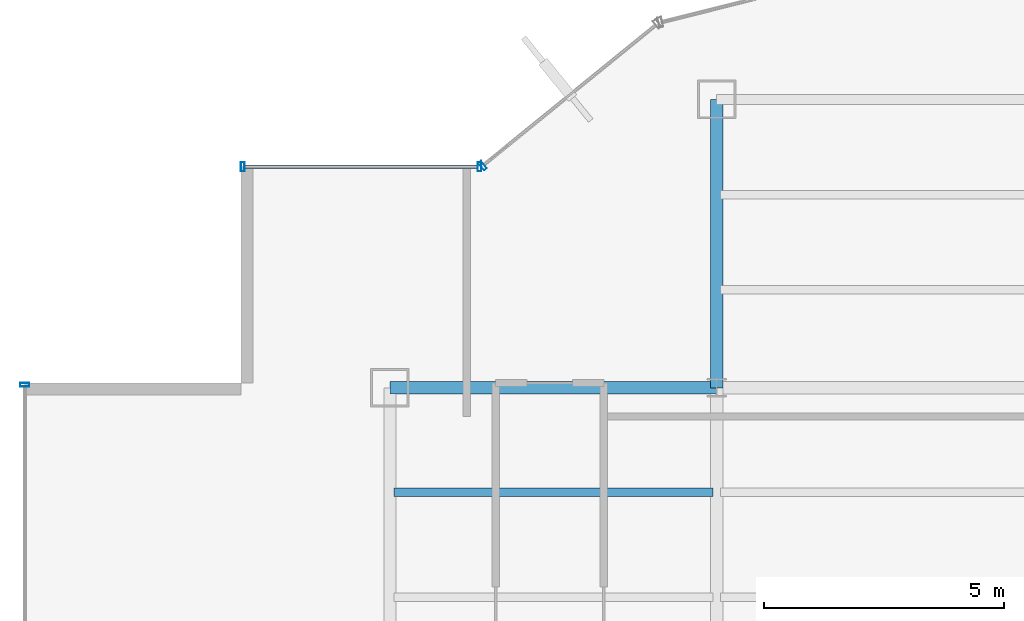
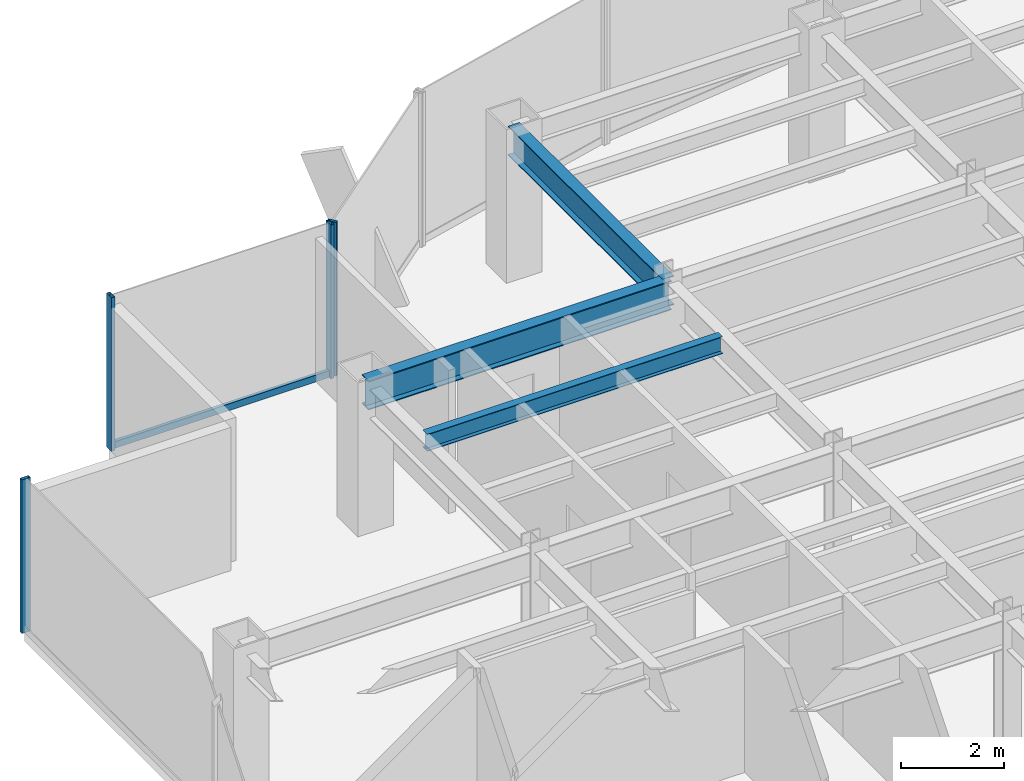
# One storey, part 13 of 26: 5 members, 3 beams, 3 elements without a shape of their own.
"""IFC4 building model written with IfcOpenShell, lengths in metres."""

from ifc_helpers import new_model, si_unit, derived_unit, direction, frame, origin, origin_2d, place, context, subcontext, project, spatial, hollow_rectangle, i_section, extrude, source, transform, mapped, material, material_profile, profile_set, type_object, element, aggregate, save


model = new_model("IFC4")

# Units and contexts
model_context = context("Model", 3, precision=1e-05, world=origin(), true_north=direction((0.0, 1.0)))
body_context = subcontext(model_context, "Body", "Model", "MODEL_VIEW")
ifc_project = project(units=[si_unit("LENGTHUNIT", "METRE"), si_unit("AREAUNIT", "SQUARE_METRE"), si_unit("VOLUMEUNIT", "CUBIC_METRE"), si_unit("PLANEANGLEUNIT", "RADIAN"), si_unit("MASSUNIT", "GRAM", prefix="KILO"), derived_unit("THERMALTRANSMITTANCEUNIT", [(si_unit("POWERUNIT", "WATT"), 1), (si_unit("LENGTHUNIT", "METRE"), -2), (si_unit("THERMODYNAMICTEMPERATUREUNIT", "KELVIN"), -1)])], contexts=[model_context])

# Site, building, storey
site_placement = place(None, origin())
site = spatial("IfcSite", under=ifc_project, at=site_placement, CompositionType="ELEMENT")
building_placement = place(site_placement, origin())
building = spatial("IfcBuilding", under=site, at=building_placement, Name="Skarnbrae Concourse Arena and Tower", CompositionType="ELEMENT")
storey_placement = place(building_placement, frame((0.0, 0.0, 106.89990234375)))
storey = spatial("IfcBuildingStorey", under=building, at=storey_placement, Name="L26", CompositionType="ELEMENT", Elevation=106.89990234375)

# Beams
ifc_material_1 = material(Name="Steel CSA G40.21 350W", Category="steel")
ifc_material_profile_1 = material_profile(ifc_material_1, i_section(OverallWidth=0.256103515625, OverallDepth=0.693115234375, WebThickness=0.014404296875, FlangeThickness=0.023681640625, at=origin_2d()), Name="W690X170")
ifc_profile_set_1 = profile_set([ifc_material_profile_1], Name="Steel CSA G40.21 350W")
beam_type_1 = type_object("IfcBeamType", Name="BM-GIRD-W690X170", PredefinedType="BEAM", material=ifc_profile_set_1)
shared_shape_1 = source(origin(), body_context, "Body", "SweptSolid", [
    extrude(i_section(OverallWidth=0.256103515625, OverallDepth=0.693115234375, WebThickness=0.014404296875, FlangeThickness=0.023681640625, at=origin_2d()), origin(), (0.0, 0.0, 1.0), 6.7998046875),
])
beam_1_placement = place(storey_placement, frame((7.60009765625, 34.39990234375, 3.0537109375), z_axis=(1.0, 0.0, 0.0), x_axis=(0.0, 1.0, 0.0)))
element("IfcBeam", 1, at=beam_1_placement, inside=storey, type_object=beam_type_1, Name="L26 Primary E-W girder Y34.4-1", PredefinedType="BEAM", context=body_context, shape_type="MappedRepresentation", body=[
    mapped(shared_shape_1, transform((0.0, 0.0, 0.0))),
])
shared_shape_2 = source(origin(), body_context, "Body", "SweptSolid", [
    extrude(i_section(OverallWidth=0.256103515625, OverallDepth=0.693115234375, WebThickness=0.014404296875, FlangeThickness=0.023681640625, at=origin_2d()), origin(), (0.0, 0.0, 1.0), 6.0),
])
beam_2_placement = place(storey_placement, frame((14.39990234375, 34.39990234375, 3.0537109375), z_axis=(0.0, 1.0, 0.0), x_axis=(-1.0, 0.0, 0.0)))
element("IfcBeam", 2, at=beam_2_placement, inside=storey, type_object=beam_type_1, Name="L26 Primary N-S girder X14.4-4", PredefinedType="BEAM", context=body_context, shape_type="MappedRepresentation", body=[
    mapped(shared_shape_2, transform((0.0, 0.0, 0.0))),
])
ifc_material_profile_2 = material_profile(ifc_material_1, i_section(OverallWidth=0.177978515625, OverallDepth=0.406982421875, WebThickness=0.0078125, FlangeThickness=0.0126953125, at=origin_2d()), Name="W410X60")
ifc_profile_set_2 = profile_set([ifc_material_profile_2], Name="Steel CSA G40.21 350W")
beam_type_2 = type_object("IfcBeamType", Name="BM-JOIST-W410X60", PredefinedType="JOIST", material=ifc_profile_set_2)
shared_shape_3 = source(origin(), body_context, "Body", "SweptSolid", [
    extrude(i_section(OverallWidth=0.177978515625, OverallDepth=0.406982421875, WebThickness=0.0078125, FlangeThickness=0.0126953125, at=origin_2d()), origin(), (0.0, 0.0, 1.0), 6.64013671875),
])
beam_3_placement = place(storey_placement, frame((7.679931640625, 32.221923828125, 3.196533203125), z_axis=(1.0, 0.0, 0.0), x_axis=(0.0, 1.0, 0.0)))
element("IfcBeam", 3, at=beam_3_placement, inside=storey, type_object=beam_type_2, Name="L26 Secondary floor joist 3.2.1", PredefinedType="JOIST", context=body_context, shape_type="MappedRepresentation", body=[
    mapped(shared_shape_3, transform((0.0, 0.0, 0.0))),
])

# Curtain wall, member
ifc_material_2 = material(Name="Bronze anodised aluminium 6063-T6", Category="aluminium")
curtain_wall_type = type_object("IfcCurtainWallType", Name="CW-SYS-04-MIDZONE", PredefinedType="USERDEFINED", material=ifc_material_2)
curtain_wall_1_placement = place(storey_placement, origin())
curtain_wall_1 = element("IfcCurtainWall", 4, at=curtain_wall_1_placement, inside=storey, type_object=curtain_wall_type, Name="L26 Unitised curtain wall CW-L26-E15", ObjectType="UNITISED CURTAIN WALL", PredefinedType="USERDEFINED")
ifc_material_profile_3 = material_profile(ifc_material_2, hollow_rectangle(XDim=0.074951171875, YDim=0.195068359375, WallThickness=0.00439453125, at=origin_2d()), Name="ALU-MULL-75X195")
ifc_profile_set_3 = profile_set([ifc_material_profile_3], Name="Bronze anodised aluminium 6063-T6")
member_type_1 = type_object("IfcMemberType", Name="CWM-CW-04", PredefinedType="MULLION", material=ifc_profile_set_3)
shared_shape_4 = source(origin(), body_context, "Body", "SweptSolid", [
    extrude(hollow_rectangle(XDim=0.074951171875, YDim=0.195068359375, WallThickness=0.00439453125, at=origin_2d()), origin(), (0.0, 0.0, 1.0), 3.650146484375),
])
member_1_placement = place(storey_placement, frame((9.529052734375, 39.023681640625, 0.0), z_axis=(0.0, 0.0, 1.0), x_axis=(-0.776241200471, -0.630436038542, 0.0)))
member_1 = element("IfcMember", 5, at=member_1_placement, type_object=member_type_1, Name="CW-L26-E15 Mullion 2", PredefinedType="MULLION", context=body_context, shape_type="MappedRepresentation", body=[
    mapped(shared_shape_4, transform((0.0, 0.0, 0.0))),
])
aggregate(curtain_wall_1, [member_1])

# Curtain wall, members
curtain_wall_2_placement = place(storey_placement, origin())
curtain_wall_2 = element("IfcCurtainWall", 6, at=curtain_wall_2_placement, inside=storey, type_object=curtain_wall_type, Name="L26 Unitised curtain wall CW-L26-E16", ObjectType="UNITISED CURTAIN WALL", PredefinedType="USERDEFINED")
member_2_placement = place(storey_placement, frame((9.46240234375, 39.0, 0.0), z_axis=(0.0, 0.0, 1.0), x_axis=(-1.0, 0.0, 0.0)))
member_2 = element("IfcMember", 7, at=member_2_placement, type_object=member_type_1, Name="CW-L26-E16 Mullion 1", PredefinedType="MULLION", context=body_context, shape_type="MappedRepresentation", body=[
    mapped(shared_shape_4, transform((0.0, 0.0, 0.0))),
])
member_3_placement = place(storey_placement, frame((4.53759765625, 39.0, 0.0), z_axis=(0.0, 0.0, 1.0), x_axis=(-1.0, 0.0, 0.0)))
member_3 = element("IfcMember", 8, at=member_3_placement, type_object=member_type_1, Name="CW-L26-E16 Mullion 2", PredefinedType="MULLION", context=body_context, shape_type="MappedRepresentation", body=[
    mapped(shared_shape_4, transform((0.0, 0.0, 0.0))),
])

# Curtain wall, member
curtain_wall_3_placement = place(storey_placement, origin())
curtain_wall_3 = element("IfcCurtainWall", 9, at=curtain_wall_3_placement, inside=storey, type_object=curtain_wall_type, Name="L26 Unitised curtain wall CW-L26-E19", ObjectType="UNITISED CURTAIN WALL", PredefinedType="USERDEFINED")
member_4_placement = place(storey_placement, frame((0.0, 34.46240234375, 0.0), z_axis=(0.0, 0.0, 1.0), x_axis=(0.0, -1.0, 0.0)))
member_4 = element("IfcMember", 10, at=member_4_placement, type_object=member_type_1, Name="CW-L26-E19 Mullion 1", PredefinedType="MULLION", context=body_context, shape_type="MappedRepresentation", body=[
    mapped(shared_shape_4, transform((0.0, 0.0, 0.0))),
])
aggregate(curtain_wall_3, [member_4])

# Member
ifc_material_profile_4 = material_profile(ifc_material_2, hollow_rectangle(XDim=0.074951171875, YDim=0.159912109375, WallThickness=0.00439453125, at=origin_2d()), Name="ALU-TRAN-75X160")
ifc_profile_set_4 = profile_set([ifc_material_profile_4], Name="Bronze anodised aluminium 6063-T6")
member_type_2 = type_object("IfcMemberType", Name="CWT-CW-04", PredefinedType="USERDEFINED", material=ifc_profile_set_4)
shared_shape_5 = source(origin(), body_context, "Body", "SweptSolid", [
    extrude(hollow_rectangle(XDim=0.074951171875, YDim=0.159912109375, WallThickness=0.00439453125, at=origin_2d()), origin(), (0.0, 0.0, 1.0), 4.85009765625),
])
member_5_placement = place(storey_placement, frame((9.425048828125, 39.0, 0.080078125), z_axis=(-1.0, 0.0, 0.0), x_axis=(0.0, -1.0, 0.0)))
member_5 = element("IfcMember", 11, at=member_5_placement, type_object=member_type_2, Name="CW-L26-E16 Transom 1", ObjectType="TRANSOM", PredefinedType="USERDEFINED", context=body_context, shape_type="MappedRepresentation", body=[
    mapped(shared_shape_5, transform((0.0, 0.0, 0.0))),
])

aggregate(curtain_wall_2, [member_2, member_3, member_5])

save(model, "model.ifc")
